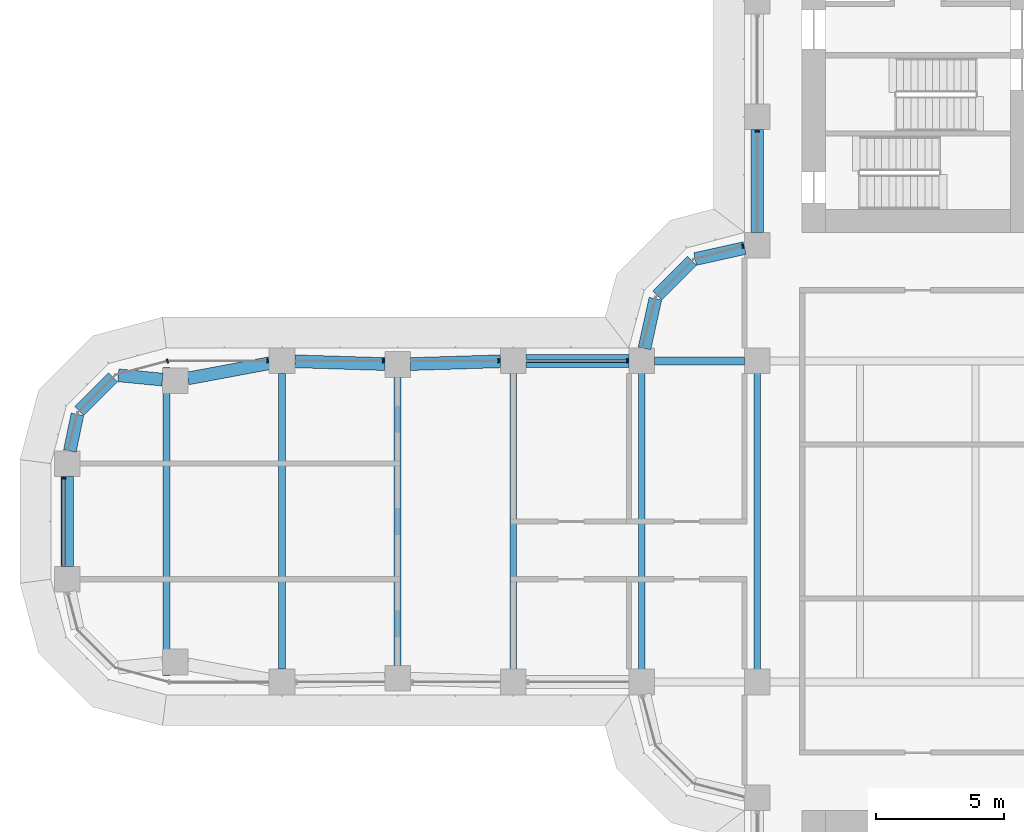
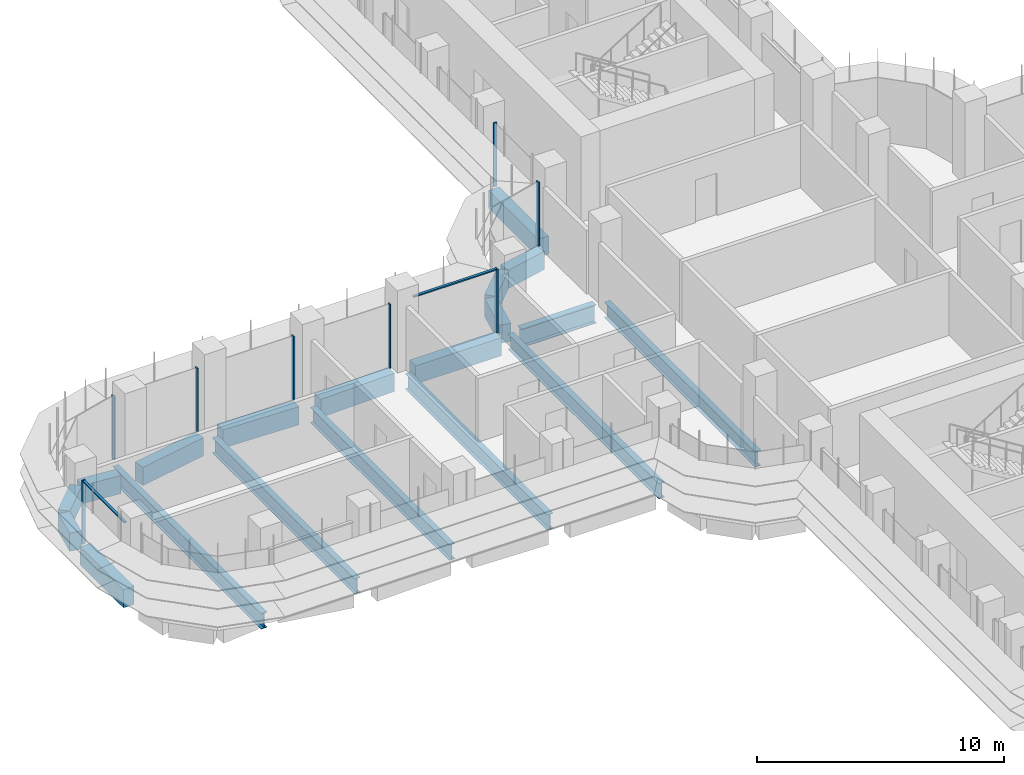
# One storey, part 6 of 23: 19 beams, 10 members, 5 elements without a shape of their own.
"""IFC4 building model written with IfcOpenShell, lengths in metres."""

from ifc_helpers import new_model, si_unit, direction, frame, origin, origin_2d, place, context, subcontext, project, spatial, polyline, rectangle, i_section, outline, extrude, source, transform, mapped, material, material_profile, profile_set, type_object, element, aggregate, save


model = new_model("IFC4")

# Units and contexts
model_context = context("Model", 3, precision=1e-05, world=origin(), true_north=direction((0.0, 1.0)))
body_context = subcontext(model_context, "Body", "Model", "MODEL_VIEW")
ifc_project = project(units=[si_unit("LENGTHUNIT", "METRE"), si_unit("AREAUNIT", "SQUARE_METRE"), si_unit("VOLUMEUNIT", "CUBIC_METRE"), si_unit("PLANEANGLEUNIT", "RADIAN"), si_unit("MASSUNIT", "GRAM", prefix="KILO")], contexts=[model_context])

# Site, building, storey
site_placement = place(None, origin())
site = spatial("IfcSite", under=ifc_project, at=site_placement, CompositionType="ELEMENT")
building_placement = place(site_placement, origin())
building = spatial("IfcBuilding", under=site, at=building_placement, Name="Zarbagh Exchange Tower", CompositionType="ELEMENT")
storey_placement = place(building_placement, frame((0.0, 0.0, 39.60009765625)))
storey = spatial("IfcBuildingStorey", under=building, at=storey_placement, Name="L08", CompositionType="ELEMENT", Elevation=39.60009765625)

# Beams
ifc_material_1 = material(Name="Steel ASTM A992 Gr 50", Category="steel")
ifc_material_profile_1 = material_profile(ifc_material_1, i_section(OverallWidth=0.2666015625, OverallDepth=0.76708984375, WebThickness=0.014892578125, FlangeThickness=0.023681640625, at=origin_2d()), Name="W30X124")
ifc_profile_set_1 = profile_set([ifc_material_profile_1], Name="Steel ASTM A992 Gr 50")
beam_type_1 = type_object("IfcBeamType", Name="Floor beam W30X124", PredefinedType="BEAM", material=ifc_profile_set_1)
for number, where, z_axis, x_axis, name in (
    (1, (-10.75, -6.09765625, -0.53369140625), (0.0, 1.0, 0.0), (-1.0, 0.0, 0.0), "Steel floor beam"),
    (2, (-6.25, -6.09765625, -0.53369140625), (0.0, 1.0, 0.0), (-1.0, 0.0, 0.0), "Steel floor beam"),
):
    element("IfcBeam", number, at=place(storey_placement, frame(where, z_axis=z_axis, x_axis=x_axis)), inside=storey, type_object=beam_type_1, Name=name, PredefinedType="BEAM", context=body_context, shape_type="SweptSolid", body=[
        extrude(i_section(OverallWidth=0.2666015625, OverallDepth=0.76708984375, WebThickness=0.014892578125, FlangeThickness=0.023681640625, at=origin_2d()), origin(), (0.0, 0.0, 1.0), 12.1953125),
    ])
beam_1_placement = place(storey_placement, frame((-15.75, -5.75, -0.53369140625), z_axis=(0.0, 1.0, 0.0), x_axis=(-1.0, 0.0, 0.0)))
element("IfcBeam", 3, at=beam_1_placement, inside=storey, type_object=beam_type_1, Name="Steel floor beam", PredefinedType="BEAM", context=body_context, shape_type="SweptSolid", body=[
    extrude(i_section(OverallWidth=0.2666015625, OverallDepth=0.76708984375, WebThickness=0.014892578125, FlangeThickness=0.023681640625, at=origin_2d()), origin(), (0.0, 0.0, 1.0), 11.5),
])
beam_2_placement = place(storey_placement, frame((-20.25, -5.610107421875, -0.53369140625), z_axis=(0.0, 1.0, 0.0), x_axis=(-1.0, 0.0, 0.0)))
element("IfcBeam", 4, at=beam_2_placement, inside=storey, type_object=beam_type_1, Name="Steel floor beam", PredefinedType="BEAM", context=body_context, shape_type="SweptSolid", body=[
    extrude(i_section(OverallWidth=0.2666015625, OverallDepth=0.76708984375, WebThickness=0.014892578125, FlangeThickness=0.023681640625, at=origin_2d()), origin(), (0.0, 0.0, 1.0), 11.22021484375),
])
beam_3_placement = place(storey_placement, frame((-24.75, -5.75, -0.53369140625), z_axis=(0.0, 1.0, 0.0), x_axis=(-1.0, 0.0, 0.0)))
element("IfcBeam", 5, at=beam_3_placement, inside=storey, type_object=beam_type_1, Name="Steel floor beam", PredefinedType="BEAM", context=body_context, shape_type="SweptSolid", body=[
    extrude(i_section(OverallWidth=0.2666015625, OverallDepth=0.76708984375, WebThickness=0.014892578125, FlangeThickness=0.023681640625, at=origin_2d()), origin(), (0.0, 0.0, 1.0), 11.5),
])
beam_4_placement = place(storey_placement, frame((-29.25, -6.0, -0.53369140625), z_axis=(0.0, 1.0, 0.0), x_axis=(-1.0, 0.0, 0.0)))
element("IfcBeam", 6, at=beam_4_placement, inside=storey, type_object=beam_type_1, Name="Steel floor beam", PredefinedType="BEAM", context=body_context, shape_type="SweptSolid", body=[
    extrude(i_section(OverallWidth=0.2666015625, OverallDepth=0.76708984375, WebThickness=0.014892578125, FlangeThickness=0.023681640625, at=origin_2d()), origin(), (0.0, 0.0, 1.0), 12.0),
])
ifc_material_profile_2 = material_profile(ifc_material_1, i_section(OverallWidth=0.3046875, OverallDepth=0.91943359375, WebThickness=0.017333984375, FlangeThickness=0.02783203125, at=origin_2d()), Name="W36X170")
ifc_profile_set_2 = profile_set([ifc_material_profile_2], Name="Steel ASTM A992 Gr 50")
beam_type_2 = type_object("IfcBeamType", Name="Floor girder W36X170", PredefinedType="BEAM", material=ifc_profile_set_2)
beam_5_placement = place(storey_placement, frame((-10.25, 6.25, -0.60986328125), z_axis=(1.0, 0.0, 0.0), x_axis=(0.0, 1.0, 0.0)))
element("IfcBeam", 7, at=beam_5_placement, inside=storey, type_object=beam_type_2, Name="Steel girder", PredefinedType="BEAM", context=body_context, shape_type="SweptSolid", body=[
    extrude(i_section(OverallWidth=0.3046875, OverallDepth=0.91943359375, WebThickness=0.017333984375, FlangeThickness=0.02783203125, at=origin_2d()), origin(), (0.0, 0.0, 1.0), 3.5),
])
ifc_material_2 = material(Name="Concrete C60/75", Category="concrete")
ifc_material_profile_3 = material_profile(ifc_material_2, rectangle(XDim=0.5, YDim=0.89990234375, at=origin_2d()), Name="RC spandrel beam 500 x 900 C60/75")
ifc_profile_set_3 = profile_set([ifc_material_profile_3], Name="Concrete C60/75")
beam_type_3 = type_object("IfcBeamType", Name="RC spandrel beam 500 x 900 C60/75", PredefinedType="SPANDREL", material=ifc_profile_set_3)
beam_6_placement = place(storey_placement, frame((-33.110107421875, -1.75, -0.60009765625), z_axis=(0.0, 1.0, 0.0), x_axis=(-1.0, 0.0, 0.0)))
element("IfcBeam", 8, at=beam_6_placement, inside=storey, type_object=beam_type_3, Name="RC spandrel beam", PredefinedType="SPANDREL", context=body_context, shape_type="SweptSolid", body=[
    extrude(rectangle(XDim=0.5, YDim=0.89990234375, at=origin_2d()), origin(), (0.0, 0.0, 1.0), 3.5),
])
beam_7_placement = place(storey_placement, frame((-33.0087890625, 2.73974609375, -0.60009765625), z_axis=(0.202068589164, 0.9793713725, 0.0), x_axis=(-0.9793713725, 0.202068589164, 0.0)))
element("IfcBeam", 9, at=beam_7_placement, inside=storey, type_object=beam_type_3, Name="RC spandrel beam", PredefinedType="SPANDREL", context=body_context, shape_type="SweptSolid", body=[
    extrude(rectangle(XDim=0.5, YDim=0.89990234375, at=origin_2d()), origin(), (0.0, 0.0, 1.0), 1.458251953125),
])
beam_8_placement = place(storey_placement, frame((-32.64599609375, 4.294189453125, -0.60009765625), z_axis=(0.707172099812, 0.707041456527, 0.0), x_axis=(-0.707041456527, 0.707172099812, 0.0)))
element("IfcBeam", 10, at=beam_8_placement, inside=storey, type_object=beam_type_3, Name="RC spandrel beam", PredefinedType="SPANDREL", context=body_context, shape_type="SweptSolid", body=[
    extrude(rectangle(XDim=0.5, YDim=0.89990234375, at=origin_2d()), origin(), (0.0, 0.0, 1.0), 1.86865234375),
])
beam_9_placement = place(storey_placement, frame((-31.123779296875, 5.6875, -0.60009765625), z_axis=(0.995431032456, -0.095483294999, 0.0), x_axis=(0.095483294999, 0.995431032456, 0.0)))
element("IfcBeam", 11, at=beam_9_placement, inside=storey, type_object=beam_type_3, Name="RC spandrel beam", PredefinedType="SPANDREL", context=body_context, shape_type="SweptSolid", body=[
    extrude(rectangle(XDim=0.5, YDim=0.89990234375, at=origin_2d()), origin(), (0.0, 0.0, 1.0), 1.725830078125),
])
beam_10_placement = place(storey_placement, frame((-28.41650390625, 5.566650390625, -0.60009765625), z_axis=(0.983069300761, 0.183234139565, 0.0), x_axis=(-0.183234139565, 0.983069300761, 0.0)))
element("IfcBeam", 12, at=beam_10_placement, inside=storey, type_object=beam_type_3, Name="RC spandrel beam", PredefinedType="SPANDREL", context=body_context, shape_type="SweptSolid", body=[
    extrude(rectangle(XDim=0.5, YDim=0.89990234375, at=origin_2d()), origin(), (0.0, 0.0, 1.0), 3.229736328125),
])
for number, where, z_axis, x_axis, name in (
    (13, (-24.250244140625, 6.234619140625, -0.60009765625), (0.999514385708, -0.031160756759, 0.0), (0.031160756759, 0.999514385708, 0.0), "RC spandrel beam"),
    (14, (-19.750244140625, 6.12548828125, -0.60009765625), (0.999514385708, 0.031160756759, 0.0), (-0.031160756759, 0.999514385708, 0.0), "RC spandrel beam"),
):
    element("IfcBeam", number, at=place(storey_placement, frame(where, z_axis=z_axis, x_axis=x_axis)), inside=storey, type_object=beam_type_3, Name=name, PredefinedType="SPANDREL", context=body_context, shape_type="SweptSolid", body=[
        extrude(rectangle(XDim=0.5, YDim=0.89990234375, at=origin_2d()), origin(), (0.0, 0.0, 1.0), 3.502197265625),
    ])
beam_11_placement = place(storey_placement, frame((-15.25, 6.25, -0.60009765625), z_axis=(1.0, 0.0, 0.0), x_axis=(0.0, 1.0, 0.0)))
element("IfcBeam", 15, at=beam_11_placement, inside=storey, type_object=beam_type_3, Name="RC spandrel beam", PredefinedType="SPANDREL", context=body_context, shape_type="SweptSolid", body=[
    extrude(rectangle(XDim=0.5, YDim=0.89990234375, at=origin_2d()), origin(), (0.0, 0.0, 1.0), 4.0),
])
beam_12_placement = place(storey_placement, frame((-10.64208984375, 6.73828125, -0.60009765625), z_axis=(0.216081063242, 0.976375426825, 0.0), x_axis=(-0.976375426825, 0.216081063242, 0.0)))
element("IfcBeam", 16, at=beam_12_placement, inside=storey, type_object=beam_type_3, Name="RC spandrel beam", PredefinedType="SPANDREL", context=body_context, shape_type="SweptSolid", body=[
    extrude(rectangle(XDim=0.5, YDim=0.89990234375, at=origin_2d()), origin(), (0.0, 0.0, 1.0), 1.978271484375),
])
beam_13_placement = place(storey_placement, frame((-10.147216796875, 8.792724609375, -0.60009765625), z_axis=(0.707106781187, 0.707106781187, 0.0), x_axis=(-0.707106781187, 0.707106781187, 0.0)))
element("IfcBeam", 17, at=beam_13_placement, inside=storey, type_object=beam_type_3, Name="RC spandrel beam", PredefinedType="SPANDREL", context=body_context, shape_type="SweptSolid", body=[
    extrude(rectangle(XDim=0.5, YDim=0.89990234375, at=origin_2d()), origin(), (0.0, 0.0, 1.0), 1.91552734375),
])
beam_14_placement = place(storey_placement, frame((-8.669921875, 10.214599609375, -0.60009765625), z_axis=(0.976375426825, 0.216081063242, 0.0), x_axis=(-0.216081063242, 0.976375426825, 0.0)))
element("IfcBeam", 18, at=beam_14_placement, inside=storey, type_object=beam_type_3, Name="RC spandrel beam", PredefinedType="SPANDREL", context=body_context, shape_type="SweptSolid", body=[
    extrude(rectangle(XDim=0.5, YDim=0.89990234375, at=origin_2d()), origin(), (0.0, 0.0, 1.0), 1.978271484375),
])
beam_15_placement = place(storey_placement, frame((-6.25, 11.25, -0.60009765625), z_axis=(0.0, 1.0, 0.0), x_axis=(-1.0, 0.0, 0.0)))
element("IfcBeam", 19, at=beam_15_placement, inside=storey, type_object=beam_type_3, Name="RC spandrel beam", PredefinedType="SPANDREL", context=body_context, shape_type="SweptSolid", body=[
    extrude(rectangle(XDim=0.5, YDim=0.89990234375, at=origin_2d()), origin(), (0.0, 0.0, 1.0), 4.0),
])

# Curtain wall, member
ifc_material_3 = material(Name="Anodised aluminium frame and glazing", Category="aluminium")
curtain_wall_type = type_object("IfcCurtainWallType", Name="CWA Ribbon glazing, lower zones", PredefinedType="NOTDEFINED", material=ifc_material_3)
curtain_wall_1_placement = place(storey_placement, origin())
curtain_wall_1 = element("IfcCurtainWall", 20, at=curtain_wall_1_placement, inside=storey, type_object=curtain_wall_type, Name="CWA28 curtain wall", PredefinedType="NOTDEFINED")
ifc_material_4 = material(Name="Anodised aluminium frame", Category="aluminium")
member_type_1 = type_object("IfcMemberType", Name="MUA Mullion, anodised aluminium frame", PredefinedType="MULLION", material=ifc_material_4)
shared_shape_1 = source(origin(), body_context, "Body", "SweptSolid", [
    extrude(outline(polyline([(0.0, -0.080078125), (0.06005859375, -0.080078125), (0.06005859375, 0.080078125), (0.0, 0.080078125), (0.0, -0.080078125)])), origin(), (0.0, 0.0, 1.0), 3.14990234375),
])
placement = place(storey_placement, origin())
member_1 = element("IfcMember", 21, at=placement, type_object=member_type_1, Name="CWA28 mullion 5.1", PredefinedType="MULLION", context=body_context, shape_type="MappedRepresentation", body=[
    mapped(shared_shape_1, transform((-6.25, 15.2099609375, 0.0), x_axis=(0.0, -1.0, 0.0), y_axis=(1.0, 0.0, 0.0), z_axis=(0.0, 0.0, 1.0))),
])
aggregate(curtain_wall_1, [member_1])

curtain_wall_2_placement = place(storey_placement, origin())
curtain_wall_2 = element("IfcCurtainWall", 22, at=curtain_wall_2_placement, inside=storey, type_object=curtain_wall_type, Name="CWA29 curtain wall", PredefinedType="NOTDEFINED")
member_2 = element("IfcMember", 23, at=placement, type_object=member_type_1, Name="CWA29 mullion 1.1", PredefinedType="MULLION", context=body_context, shape_type="MappedRepresentation", body=[
    mapped(shared_shape_1, transform((-6.7900390625, 10.7216796875, 0.0), x_axis=(-0.965924289636, -0.258824779902, 0.0), y_axis=(0.258824779902, -0.965924289636, 0.0), z_axis=(0.0, 0.0, 1.0))),
])
aggregate(curtain_wall_2, [member_2])

# Curtain wall, members
curtain_wall_3_placement = place(storey_placement, origin())
curtain_wall_3 = element("IfcCurtainWall", 24, at=curtain_wall_3_placement, inside=storey, type_object=curtain_wall_type, Name="CWA32 curtain wall", PredefinedType="NOTDEFINED")
member_3 = element("IfcMember", 25, at=placement, type_object=member_type_1, Name="CWA32 mullion 1.1", PredefinedType="MULLION", context=body_context, shape_type="MappedRepresentation", body=[
    mapped(shared_shape_1, transform((-11.2900390625, 6.25, 0.0), x_axis=(-1.0, 0.0, 0.0), y_axis=(0.0, -1.0, 0.0), z_axis=(0.0, 0.0, 1.0))),
])
member_4 = element("IfcMember", 26, at=placement, type_object=member_type_1, Name="CWA32 mullion 2.1", PredefinedType="MULLION", context=body_context, shape_type="MappedRepresentation", body=[
    mapped(shared_shape_1, transform((-16.2900390625, 6.25, 0.0), x_axis=(-1.0, 0.0, 0.0), y_axis=(0.0, -1.0, 0.0), z_axis=(0.0, 0.0, 1.0))),
])
member_5 = element("IfcMember", 27, at=placement, type_object=member_type_1, Name="CWA32 mullion 3.1", PredefinedType="MULLION", context=body_context, shape_type="MappedRepresentation", body=[
    mapped(shared_shape_1, transform((-20.7900390625, 6.25, 0.0), x_axis=(-1.0, 0.0, 0.0), y_axis=(0.0, -1.0, 0.0), z_axis=(0.0, 0.0, 1.0))),
])
member_6 = element("IfcMember", 28, at=placement, type_object=member_type_1, Name="CWA32 mullion 4.1", PredefinedType="MULLION", context=body_context, shape_type="MappedRepresentation", body=[
    mapped(shared_shape_1, transform((-25.2900390625, 6.25, 0.0), x_axis=(-1.0, 0.0, 0.0), y_axis=(0.0, -1.0, 0.0), z_axis=(0.0, 0.0, 1.0))),
])

# Curtain wall, member
curtain_wall_4_placement = place(storey_placement, origin())
curtain_wall_4 = element("IfcCurtainWall", 29, at=curtain_wall_4_placement, inside=storey, type_object=curtain_wall_type, Name="CWA33 curtain wall", PredefinedType="NOTDEFINED")
member_7 = element("IfcMember", 30, at=placement, type_object=member_type_1, Name="CWA33 mullion 1.1", PredefinedType="MULLION", context=body_context, shape_type="MappedRepresentation", body=[
    mapped(shared_shape_1, transform((-29.18408203125, 6.25, 0.0), x_axis=(-0.965924289636, -0.258824779902, 0.0), y_axis=(0.258824779902, -0.965924289636, 0.0), z_axis=(0.0, 0.0, 1.0))),
])
aggregate(curtain_wall_4, [member_7])

curtain_wall_5_placement = place(storey_placement, origin())
curtain_wall_5 = element("IfcCurtainWall", 31, at=curtain_wall_5_placement, inside=storey, type_object=curtain_wall_type, Name="CWA36 curtain wall", PredefinedType="NOTDEFINED")
member_8 = element("IfcMember", 32, at=placement, type_object=member_type_1, Name="CWA36 mullion 1.1", PredefinedType="MULLION", context=body_context, shape_type="MappedRepresentation", body=[
    mapped(shared_shape_1, transform((-33.25, 1.7099609375, 0.0), x_axis=(0.0, -1.0, 0.0), y_axis=(1.0, 0.0, 0.0), z_axis=(0.0, 0.0, 1.0))),
])

# Member
member_type_2 = type_object("IfcMemberType", Name="TRA Transom, anodised aluminium frame", PredefinedType="USERDEFINED", material=ifc_material_4)
shared_shape_2 = source(origin(), body_context, "Body", "SweptSolid", [
    extrude(outline(polyline([(-0.06005859375, -0.06005859375), (0.0, -0.06005859375), (0.0, 0.06005859375), (-0.06005859375, 0.06005859375), (-0.06005859375, -0.06005859375)])), origin(), (0.0, 0.0, 1.0), 3.860107421875),
])
member_9 = element("IfcMember", 33, at=placement, type_object=member_type_2, Name="CWA32 transom 1.1", ObjectType="TRANSOM", PredefinedType="USERDEFINED", context=body_context, shape_type="MappedRepresentation", body=[
    mapped(shared_shape_2, transform((-11.35009765625, 6.25, 3.14990234375), x_axis=(0.0, 0.0, 1.0), y_axis=(0.0, 1.0, 0.0), z_axis=(-1.0, 0.0, 0.0))),
])

aggregate(curtain_wall_3, [member_3, member_9, member_4, member_5, member_6])

shared_shape_3 = source(origin(), body_context, "Body", "SweptSolid", [
    extrude(outline(polyline([(-0.06005859375, -0.06005859375), (0.0, -0.06005859375), (0.0, 0.06005859375), (-0.06005859375, 0.06005859375), (-0.06005859375, -0.06005859375)])), origin(), (0.0, 0.0, 1.0), 3.360107421875),
])
member_10 = element("IfcMember", 34, at=placement, type_object=member_type_2, Name="CWA36 transom 1.1", ObjectType="TRANSOM", PredefinedType="USERDEFINED", context=body_context, shape_type="MappedRepresentation", body=[
    mapped(shared_shape_3, transform((-33.25, 1.64990234375, 3.14990234375), x_axis=(0.0, 0.0, 1.0), y_axis=(-1.0, 0.0, 0.0), z_axis=(0.0, -1.0, 0.0))),
])

aggregate(curtain_wall_5, [member_8, member_10])

save(model, "model.ifc")
